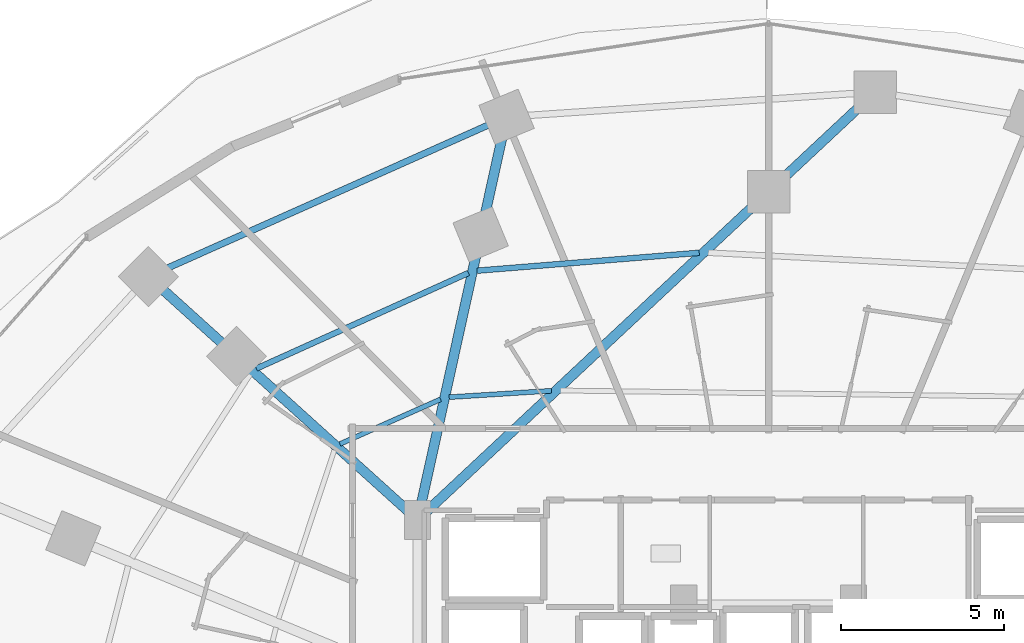
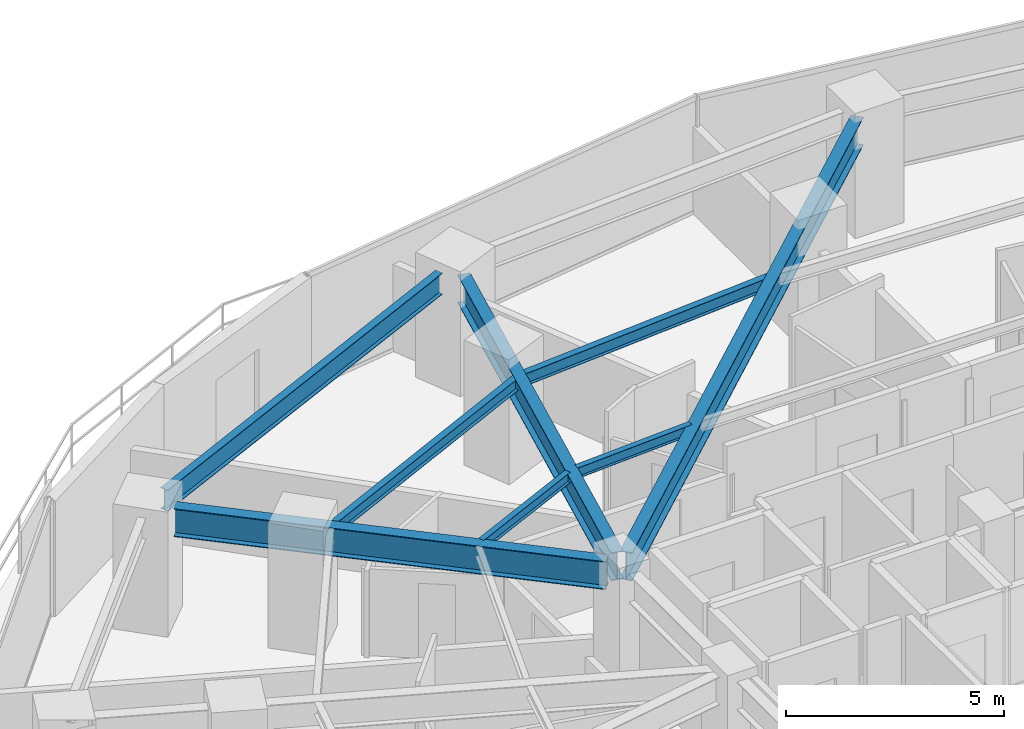
# One storey, part 20 of 34: 8 beams.
"""IFC4 building model written with IfcOpenShell, lengths in metres."""

from ifc_helpers import new_model, si_unit, direction, frame, origin, origin_2d, place, context, subcontext, project, spatial, i_section, extrude, material, material_profile, profile_set, type_object, element, save


model = new_model("IFC4")

# Units and contexts
model_context = context("Model", 3, precision=1e-05, world=origin(), true_north=direction((0.0, 1.0)))
body_context = subcontext(model_context, "Body", "Model", "MODEL_VIEW")
ifc_project = project(units=[si_unit("LENGTHUNIT", "METRE"), si_unit("AREAUNIT", "SQUARE_METRE"), si_unit("VOLUMEUNIT", "CUBIC_METRE"), si_unit("PLANEANGLEUNIT", "RADIAN"), si_unit("MASSUNIT", "GRAM", prefix="KILO")], contexts=[model_context])

# Site, building, storey
site_placement = place(None, origin())
site = spatial("IfcSite", under=ifc_project, at=site_placement, CompositionType="ELEMENT")
building_placement = place(site_placement, origin())
building = spatial("IfcBuilding", under=site, at=building_placement, Name="Vorneva Point Tower", CompositionType="ELEMENT")
storey_placement = place(building_placement, frame((0.0, 0.0, 27.5)))
storey = spatial("IfcBuildingStorey", under=building, at=storey_placement, Name="L06", CompositionType="ELEMENT", Elevation=27.5)

# Beams
ifc_material = material(Name="Steel S355", Category="steel")
ifc_material_profile_1 = material_profile(ifc_material, i_section(OverallWidth=0.300048828125, OverallDepth=0.7880859375, WebThickness=0.014404296875, FlangeThickness=0.02197265625, at=origin_2d()), Name="80Sh1")
ifc_profile_set_1 = profile_set([ifc_material_profile_1], Name="Steel S355")
beam_type_1 = type_object("IfcBeamType", Name="BM-GRD-80Sh1", PredefinedType="USERDEFINED", material=ifc_profile_set_1)
beam_1_placement = place(storey_placement, frame((40.799072265625, 45.81689453125, 2.845947265625), z_axis=(-0.730486513498, -0.682927121732, 0.0), x_axis=(0.682927121732, -0.730486513498, 0.0)))
element("IfcBeam", 1, at=beam_1_placement, inside=storey, type_object=beam_type_1, Name="L06 Radial Primary Girder 05", ObjectType="GIRDER", PredefinedType="USERDEFINED", context=body_context, shape_type="SweptSolid", body=[
    extrude(i_section(OverallWidth=0.300048828125, OverallDepth=0.7880859375, WebThickness=0.014404296875, FlangeThickness=0.02197265625, at=origin_2d()), origin(), (0.0, 0.0, 1.0), 18.2080078125),
])
beam_2_placement = place(storey_placement, frame((29.836181640625, 44.86865234375, 2.845947265625), z_axis=(-0.215504784711, -0.976502784311, 0.0), x_axis=(0.976502784311, -0.215504784711, 0.0)))
element("IfcBeam", 2, at=beam_2_placement, inside=storey, type_object=beam_type_1, Name="L06 Radial Primary Girder 06", ObjectType="GIRDER", PredefinedType="USERDEFINED", context=body_context, shape_type="SweptSolid", body=[
    extrude(i_section(OverallWidth=0.300048828125, OverallDepth=0.7880859375, WebThickness=0.014404296875, FlangeThickness=0.02197265625, at=origin_2d()), origin(), (0.0, 0.0, 1.0), 11.66064453125),
])
beam_3_placement = place(storey_placement, frame((19.47607421875, 40.172119140625, 2.845947265625), z_axis=(0.742084477445, -0.67030636901, 0.0), x_axis=(0.67030636901, 0.742084477445, 0.0)))
element("IfcBeam", 3, at=beam_3_placement, inside=storey, type_object=beam_type_1, Name="L06 Radial Primary Girder 07", ObjectType="GIRDER", PredefinedType="USERDEFINED", context=body_context, shape_type="SweptSolid", body=[
    extrude(i_section(OverallWidth=0.300048828125, OverallDepth=0.7880859375, WebThickness=0.014404296875, FlangeThickness=0.02197265625, at=origin_2d()), origin(), (0.0, 0.0, 1.0), 10.135986328125),
])
ifc_material_profile_2 = material_profile(ifc_material, i_section(OverallWidth=0.14892578125, OverallDepth=0.298095703125, WebThickness=0.005615234375, FlangeThickness=0.008056640625, at=origin_2d()), Name="30B1")
ifc_profile_set_2 = profile_set([ifc_material_profile_2], Name="Steel S355")
beam_type_2 = type_object("IfcBeamType", Name="BM-JST-30B1", PredefinedType="JOIST", material=ifc_profile_set_2)
beam_4_placement = place(storey_placement, frame((31.350830078125, 37.10400390625, 3.091064453125), z_axis=(-0.998022533486, -0.062857160731, 0.0), x_axis=(0.062857160731, -0.998022533486, 0.0)))
element("IfcBeam", 4, at=beam_4_placement, inside=storey, type_object=beam_type_2, Name="L06 Secondary Floor Beam 2.05", PredefinedType="JOIST", context=body_context, shape_type="SweptSolid", body=[
    extrude(i_section(OverallWidth=0.14892578125, OverallDepth=0.298095703125, WebThickness=0.005615234375, FlangeThickness=0.008056640625, at=origin_2d()), origin(), (0.0, 0.0, 1.0), 3.14208984375),
])
beam_5_placement = place(storey_placement, frame((27.951171875, 36.842041015625, 3.091064453125), z_axis=(-0.913898046964, -0.40594378891, 0.0), x_axis=(0.40594378891, -0.913898046964, 0.0)))
element("IfcBeam", 5, at=beam_5_placement, inside=storey, type_object=beam_type_2, Name="L06 Secondary Floor Beam 2.06", PredefinedType="JOIST", context=body_context, shape_type="SweptSolid", body=[
    extrude(i_section(OverallWidth=0.14892578125, OverallDepth=0.298095703125, WebThickness=0.005615234375, FlangeThickness=0.008056640625, at=origin_2d()), origin(), (0.0, 0.0, 1.0), 3.37451171875),
])
ifc_material_profile_3 = material_profile(ifc_material, i_section(OverallWidth=0.174072265625, OverallDepth=0.345947265625, WebThickness=0.006103515625, FlangeThickness=0.009033203125, at=origin_2d()), Name="35B1")
ifc_profile_set_3 = profile_set([ifc_material_profile_3], Name="Steel S355")
beam_type_3 = type_object("IfcBeamType", Name="BM-SEC-35B1", PredefinedType="BEAM", material=ifc_profile_set_3)
beam_6_placement = place(storey_placement, frame((35.873291015625, 41.329345703125, 3.06689453125), z_axis=(-0.996762753191, -0.080399091108, 0.0), x_axis=(0.080399091108, -0.996762753191, 0.0)))
element("IfcBeam", 6, at=beam_6_placement, inside=storey, type_object=beam_type_3, Name="L06 Secondary Floor Beam 1.05", PredefinedType="BEAM", context=body_context, shape_type="SweptSolid", body=[
    extrude(i_section(OverallWidth=0.174072265625, OverallDepth=0.345947265625, WebThickness=0.006103515625, FlangeThickness=0.009033203125, at=origin_2d()), origin(), (0.0, 0.0, 1.0), 6.826416015625),
])
beam_7_placement = place(storey_placement, frame((28.805908203125, 40.712646484375, 3.06689453125), z_axis=(-0.911588519067, -0.411103845646, 0.0), x_axis=(0.411103845646, -0.911588519067, 0.0)))
element("IfcBeam", 7, at=beam_7_placement, inside=storey, type_object=beam_type_3, Name="L06 Secondary Floor Beam 1.06", PredefinedType="BEAM", context=body_context, shape_type="SweptSolid", body=[
    extrude(i_section(OverallWidth=0.174072265625, OverallDepth=0.345947265625, WebThickness=0.006103515625, FlangeThickness=0.009033203125, at=origin_2d()), origin(), (0.0, 0.0, 1.0), 7.12646484375),
])
ifc_material_profile_4 = material_profile(ifc_material, i_section(OverallWidth=0.198974609375, OverallDepth=0.595947265625, WebThickness=0.010009765625, FlangeThickness=0.014892578125, at=origin_2d()), Name="60B1")
ifc_profile_set_4 = profile_set([ifc_material_profile_4], Name="Steel S355")
beam_type_4 = type_object("IfcBeamType", Name="BM-SPN-60B1", PredefinedType="SPANDREL", material=ifc_profile_set_4)
beam_8_placement = place(storey_placement, frame((29.393798828125, 45.23291015625, 2.94189453125), z_axis=(-0.913329187558, -0.407222046499, 0.0), x_axis=(0.407222046499, -0.913329187558, 0.0)))
element("IfcBeam", 8, at=beam_8_placement, inside=storey, type_object=beam_type_4, Name="L06 Perimeter Spandrel Ring Beam 06", PredefinedType="SPANDREL", context=body_context, shape_type="SweptSolid", body=[
    extrude(i_section(OverallWidth=0.198974609375, OverallDepth=0.595947265625, WebThickness=0.010009765625, FlangeThickness=0.014892578125, at=origin_2d()), origin(), (0.0, 0.0, 1.0), 10.742431640625),
])

save(model, "model.ifc")
